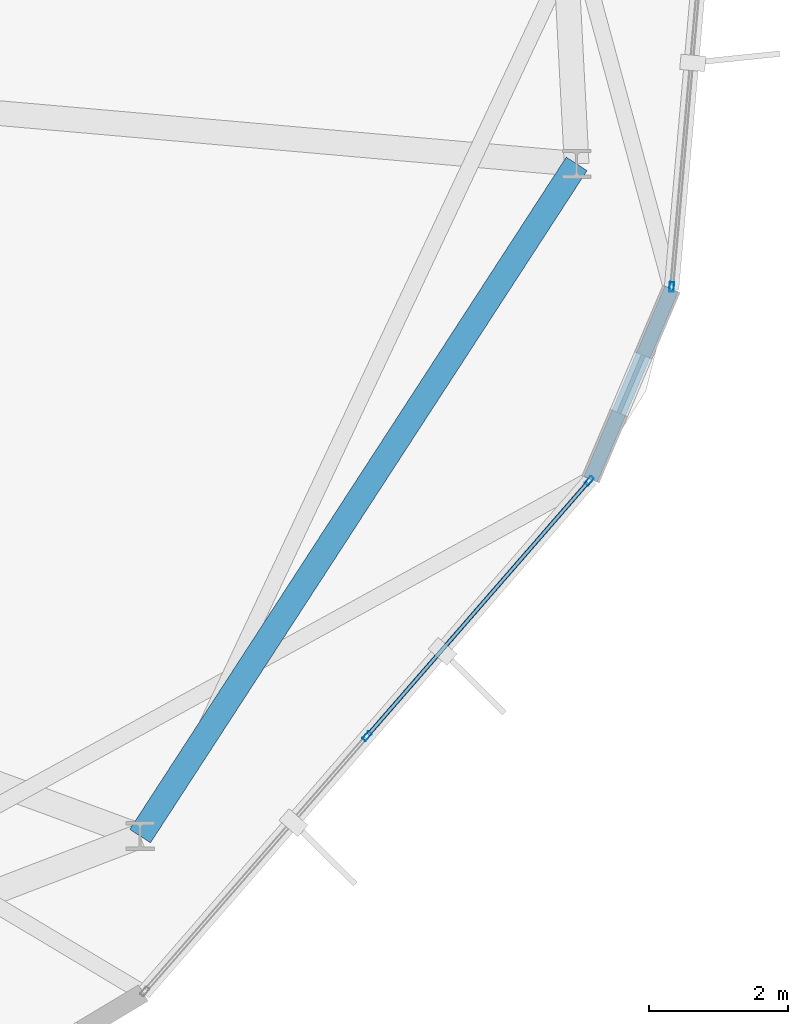
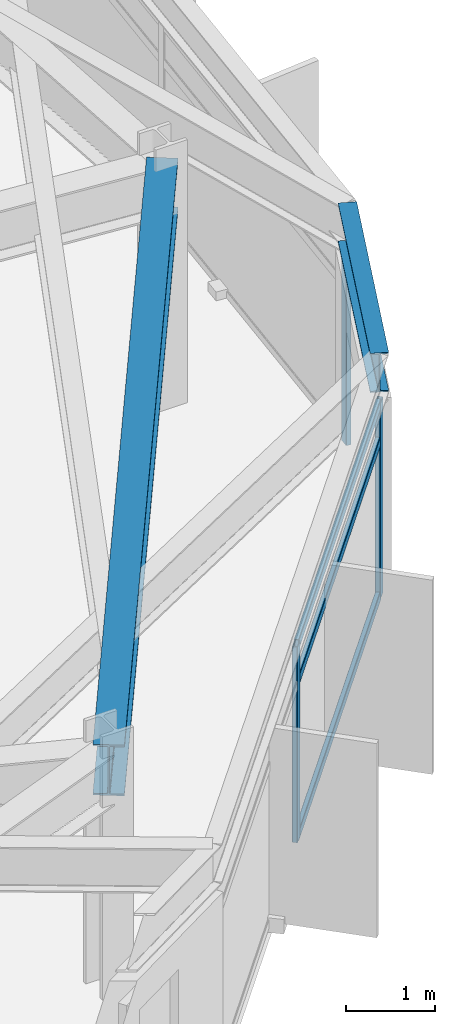
# One storey, part 10 of 27: 6 members, 2 beams, 2 elements without a shape of their own.
"""IFC4 building model written with IfcOpenShell, lengths in metres."""

from ifc_helpers import new_model, si_unit, direction, frame, origin, origin_2d, place, context, subcontext, project, spatial, hollow_rectangle, i_section, extrude, material, layer, layer_set, material_profile, profile_set, type_object, element, aggregate, save


model = new_model("IFC4")

# Units and contexts
model_context = context("Model", 3, precision=1e-05, world=origin(), true_north=direction((0.0, 1.0)))
body_context = subcontext(model_context, "Body", "Model", "MODEL_VIEW")
ifc_project = project(units=[si_unit("LENGTHUNIT", "METRE"), si_unit("AREAUNIT", "SQUARE_METRE"), si_unit("VOLUMEUNIT", "CUBIC_METRE"), si_unit("PLANEANGLEUNIT", "RADIAN"), si_unit("MASSUNIT", "GRAM", prefix="KILO")], contexts=[model_context])

# Site, building, storey
site_placement = place(None, origin())
site = spatial("IfcSite", under=ifc_project, at=site_placement, CompositionType="ELEMENT")
building_placement = place(site_placement, origin())
building = spatial("IfcBuilding", under=site, at=building_placement, Name="Soratama Intermodal Tower", CompositionType="ELEMENT")
storey_placement = place(building_placement, frame((0.0, 0.0, 212.199951171875)))
storey = spatial("IfcBuildingStorey", under=building, at=storey_placement, Name="L53", CompositionType="ELEMENT", Elevation=212.199951171875)

# Beams
ifc_material_1 = material(Name="Structural steel ASTM A992 Grade 50", Category="steel")
ifc_material_profile_1 = material_profile(ifc_material_1, i_section(OverallWidth=0.35498046875, OverallDepth=0.695068359375, WebThickness=0.015380859375, FlangeThickness=0.02490234375, FilletRadius=0.01611328125, at=origin_2d()), Name="W27X146")
ifc_profile_set_1 = profile_set([ifc_material_profile_1], Name="Structural steel ASTM A992 Grade 50")
beam_type_1 = type_object("IfcBeamType", Name="BM-RING-W27X146", PredefinedType="BEAM", material=ifc_profile_set_1)
beam_1_placement = place(storey_placement, frame((56.705078125, 10.544921875, 2.95263671875), z_axis=(0.544637453764, 0.83867159482, 0.0), x_axis=(-0.83867159482, 0.544637453764, 0.0)))
element("IfcBeam", 1, at=beam_1_placement, inside=storey, type_object=beam_type_1, Name="BM-L53-RING-09", PredefinedType="BEAM", context=body_context, shape_type="SweptSolid", body=[
    extrude(i_section(OverallWidth=0.35498046875, OverallDepth=0.695068359375, WebThickness=0.015380859375, FlangeThickness=0.02490234375, FilletRadius=0.01611328125, at=origin_2d()), origin(), (0.0, 0.0, 1.0), 11.49560546875),
])
ifc_material_2 = material(Name="Structural steel ASTM A992 Grade 50", Category="steel")
ifc_material_profile_2 = material_profile(ifc_material_2, i_section(OverallWidth=0.2099609375, OverallDepth=0.537109375, WebThickness=0.010986328125, FlangeThickness=0.017333984375, FilletRadius=0.012939453125, at=origin_2d()), Name="W21X68")
ifc_profile_set_2 = profile_set([ifc_material_profile_2], Name="Structural steel ASTM A992 Grade 50")
beam_type_2 = type_object("IfcBeamType", Name="BM-SPN-W21X68", PredefinedType="SPANDREL", material=ifc_profile_set_2)
beam_2_placement = place(storey_placement, frame((63.166015625, 15.662109375, 3.031494140625), z_axis=(0.391325355633, 0.920252392574, 0.0), x_axis=(-0.920252392574, 0.391325355633, 0.0)))
element("IfcBeam", 2, at=beam_2_placement, inside=storey, type_object=beam_type_2, Name="BS-L53-CRN08", PredefinedType="SPANDREL", context=body_context, shape_type="SweptSolid", body=[
    extrude(i_section(OverallWidth=0.2099609375, OverallDepth=0.537109375, WebThickness=0.010986328125, FlangeThickness=0.017333984375, FilletRadius=0.012939453125, at=origin_2d()), origin(), (0.0, 0.0, 1.0), 2.966552734375),
])

# Curtain wall, members
ifc_material_3 = material(Name="Double-glazed aluminium curtain wall", Category="aluminium")
ifc_layer = layer(ifc_material_3, 0.159912109375)
ifc_layer_set = layer_set([ifc_layer], Name="Double-glazed aluminium curtain wall")
curtain_wall_type = type_object("IfcCurtainWallType", Name="CW-SYS-5", PredefinedType="NOTDEFINED", material=ifc_layer_set)
curtain_wall_1_placement = place(storey_placement, origin())
curtain_wall_1 = element("IfcCurtainWall", 3, at=curtain_wall_1_placement, inside=storey, type_object=curtain_wall_type, Name="L53 Faceted Curtain Wall F08", PredefinedType="NOTDEFINED")
ifc_material_4 = material(Name="Anodised aluminium AA 6063-T6", Category="aluminium")
ifc_material_profile_3 = material_profile(ifc_material_4, hollow_rectangle(XDim=0.06494140625, YDim=0.139892578125, WallThickness=0.0048828125, InnerFilletRadius=0.0048828125, OuterFilletRadius=0.010009765625, at=origin_2d()), Name="CWM140X65X5")
ifc_profile_set_3 = profile_set([ifc_material_profile_3], Name="Anodised aluminium AA 6063-T6")
member_type_1 = type_object("IfcMemberType", Name="MT-CWM-5", PredefinedType="MULLION", material=ifc_profile_set_3)
member_1_placement = place(storey_placement, frame((59.958740234375, 11.97802734375, 0.0), z_axis=(0.0, 0.0, 1.0), x_axis=(-0.754252145903, 0.656584876768, 0.0)))
member_1 = element("IfcMember", 4, at=member_1_placement, type_object=member_type_1, Name="CW-5 mullion 2", PredefinedType="MULLION", context=body_context, shape_type="SweptSolid", body=[
    extrude(hollow_rectangle(XDim=0.06494140625, YDim=0.139892578125, WallThickness=0.0048828125, InnerFilletRadius=0.0048828125, OuterFilletRadius=0.010009765625, at=origin_2d()), origin(), (0.0, 0.0, 1.0), 2.678955078125),
])
member_2_placement = place(storey_placement, frame((63.146240234375, 15.6396484375, 0.0), z_axis=(0.0, 0.0, 1.0), x_axis=(-0.754252145903, 0.656584876768, 0.0)))
member_2 = element("IfcMember", 5, at=member_2_placement, type_object=member_type_1, Name="CW-5 mullion 3", PredefinedType="MULLION", context=body_context, shape_type="SweptSolid", body=[
    extrude(hollow_rectangle(XDim=0.06494140625, YDim=0.139892578125, WallThickness=0.0048828125, InnerFilletRadius=0.0048828125, OuterFilletRadius=0.010009765625, at=origin_2d()), origin(), (0.0, 0.0, 1.0), 2.678955078125),
])

# Curtain wall, member
curtain_wall_2_placement = place(storey_placement, origin())
curtain_wall_2 = element("IfcCurtainWall", 6, at=curtain_wall_2_placement, inside=storey, type_object=curtain_wall_type, Name="L53 Faceted Curtain Wall F09", PredefinedType="NOTDEFINED")
member_3_placement = place(storey_placement, frame((64.32958984375, 18.421875, 0.0), z_axis=(0.0, 0.0, 1.0), x_axis=(-0.996133671333, 0.087850491382, 0.0)))
member_3 = element("IfcMember", 7, at=member_3_placement, type_object=member_type_1, Name="CW-5 mullion 1", PredefinedType="MULLION", context=body_context, shape_type="SweptSolid", body=[
    extrude(hollow_rectangle(XDim=0.06494140625, YDim=0.139892578125, WallThickness=0.0048828125, InnerFilletRadius=0.0048828125, OuterFilletRadius=0.010009765625, at=origin_2d()), origin(), (0.0, 0.0, 1.0), 2.678955078125),
])
aggregate(curtain_wall_2, [member_3])

# Member
ifc_material_5 = material(Name="Anodised aluminium AA 6063-T6", Category="aluminium")
ifc_material_profile_4 = material_profile(ifc_material_5, hollow_rectangle(XDim=0.06005859375, YDim=0.1298828125, WallThickness=0.0048828125, InnerFilletRadius=0.0048828125, OuterFilletRadius=0.010009765625, at=origin_2d()), Name="CWT130X60X5")
ifc_profile_set_4 = profile_set([ifc_material_profile_4], Name="Anodised aluminium AA 6063-T6")
member_type_2 = type_object("IfcMemberType", Name="TT-CWT-2", PredefinedType="USERDEFINED", material=ifc_profile_set_4)
member_4_placement = place(storey_placement, frame((59.978515625, 12.000732421875, 0.030029296875), z_axis=(0.656584568529, 0.754252414228, 0.0), x_axis=(-0.754252414228, 0.656584568529, 0.0)))
member_4 = element("IfcMember", 8, at=member_4_placement, type_object=member_type_2, Name="CW-5 transom 2.1", ObjectType="TRANSOM", PredefinedType="USERDEFINED", context=body_context, shape_type="SweptSolid", body=[
    extrude(hollow_rectangle(XDim=0.06005859375, YDim=0.1298828125, WallThickness=0.0048828125, InnerFilletRadius=0.0048828125, OuterFilletRadius=0.010009765625, at=origin_2d()), origin(), (0.0, 0.0, 1.0), 4.79443359375),
])

member_5_placement = place(storey_placement, frame((59.978515625, 12.000732421875, 2.150146484375), z_axis=(0.656584568529, 0.754252414228, 0.0), x_axis=(-0.754252414228, 0.656584568529, 0.0)))
member_5 = element("IfcMember", 9, at=member_5_placement, type_object=member_type_2, Name="CW-5 transom 2.2", ObjectType="TRANSOM", PredefinedType="USERDEFINED", context=body_context, shape_type="SweptSolid", body=[
    extrude(hollow_rectangle(XDim=0.06005859375, YDim=0.1298828125, WallThickness=0.0048828125, InnerFilletRadius=0.0048828125, OuterFilletRadius=0.010009765625, at=origin_2d()), origin(), (0.0, 0.0, 1.0), 4.79443359375),
])

member_6_placement = place(storey_placement, frame((59.978515625, 12.000732421875, 2.649169921875), z_axis=(0.656584568529, 0.754252414228, 0.0), x_axis=(-0.754252414228, 0.656584568529, 0.0)))
member_6 = element("IfcMember", 10, at=member_6_placement, type_object=member_type_2, Name="CW-5 transom 2.3", ObjectType="TRANSOM", PredefinedType="USERDEFINED", context=body_context, shape_type="SweptSolid", body=[
    extrude(hollow_rectangle(XDim=0.06005859375, YDim=0.1298828125, WallThickness=0.0048828125, InnerFilletRadius=0.0048828125, OuterFilletRadius=0.010009765625, at=origin_2d()), origin(), (0.0, 0.0, 1.0), 4.79443359375),
])

aggregate(curtain_wall_1, [member_1, member_2, member_4, member_5, member_6])

save(model, "model.ifc")
